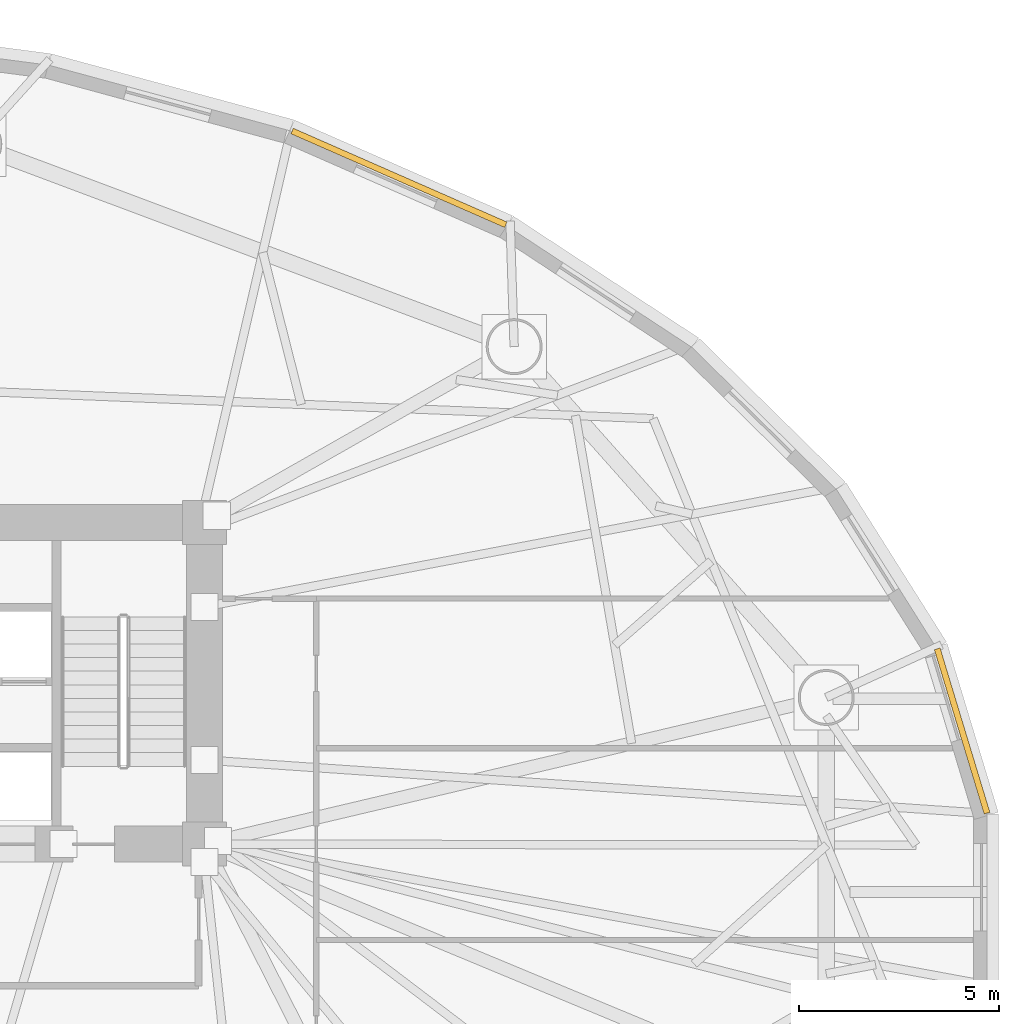
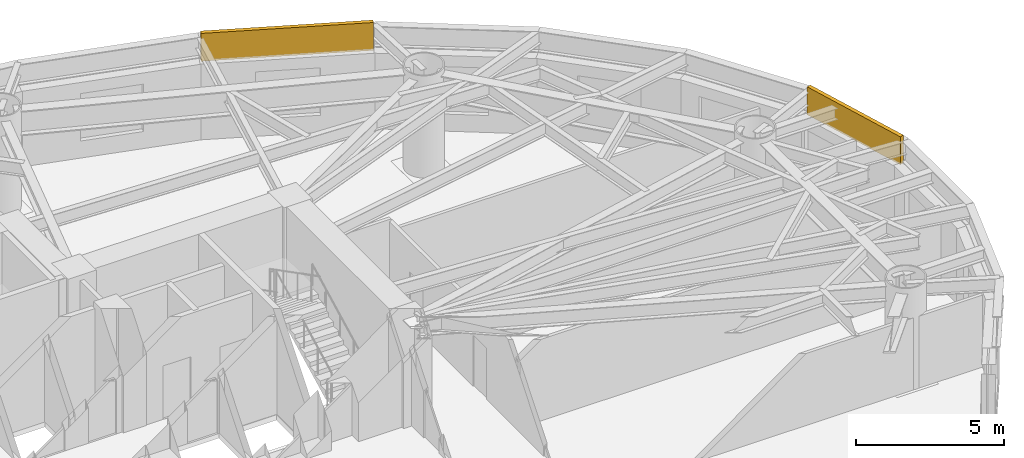
# One storey, part 18 of 18: 2 coverings.
"""IFC4 building model written with IfcOpenShell, lengths in metres."""

from ifc_helpers import new_model, si_unit, direction, frame, origin, origin_2d, place, context, subcontext, project, spatial, rectangle, extrude, material, layer, layer_set, type_object, element, save


model = new_model("IFC4")

# Units and contexts
model_context = context("Model", 3, precision=1e-05, world=origin(), true_north=direction((0.0, 1.0)))
body_context = subcontext(model_context, "Body", "Model", "MODEL_VIEW")
ifc_project = project(units=[si_unit("LENGTHUNIT", "METRE"), si_unit("AREAUNIT", "SQUARE_METRE"), si_unit("VOLUMEUNIT", "CUBIC_METRE"), si_unit("PLANEANGLEUNIT", "RADIAN"), si_unit("MASSUNIT", "GRAM", prefix="KILO")], contexts=[model_context])

# Site, building, storey
site_placement = place(None, origin())
site = spatial("IfcSite", under=ifc_project, at=site_placement, CompositionType="ELEMENT")
building_placement = place(site_placement, origin())
building = spatial("IfcBuilding", under=site, at=building_placement, Name="Keldmark Tower", CompositionType="ELEMENT")
storey_placement = place(building_placement, frame((0.0, 0.0, 6.0)))
storey = spatial("IfcBuildingStorey", under=building, at=storey_placement, Name="L01", CompositionType="ELEMENT", Elevation=6.0)

# Coverings
ifc_material = material(Name="Honed Kasota Buff Dolomitic Limestone", Category="masonry")
ifc_layer = layer(ifc_material, 0.074951171875)
ifc_layer_set = layer_set([ifc_layer], Name="Honed Kasota Buff Dolomitic Limestone")
covering_type = type_object("IfcCoveringType", Name="Kasota Buff Limestone Spandrel Cladding Band", PredefinedType="CLADDING", material=ifc_layer_set)
covering_1_placement = place(storey_placement, frame((32.57373046875, 4.233642578125, 3.032958984375), z_axis=(0.0, 0.0, 1.0), x_axis=(-0.289883809569, 0.957061845938, 0.0)))
element("IfcCovering", 1, at=covering_1_placement, inside=storey, type_object=covering_type, Name="L01 Kasota Limestone Spandrel Band 01", PredefinedType="CLADDING", context=body_context, shape_type="SweptSolid", body=[
    extrude(rectangle(XDim=4.2998046875, YDim=0.14990234375, at=origin_2d()), origin(), (0.0, 0.0, 1.0), 1.14697265625),
])
covering_2_placement = place(storey_placement, frame((18.4697265625, 18.085205078125, 3.032958984375), z_axis=(0.0, 0.0, 1.0), x_axis=(-0.915711693691, 0.401835904367, 0.0)))
element("IfcCovering", 2, at=covering_2_placement, inside=storey, type_object=covering_type, Name="L01 Kasota Limestone Spandrel Band 05", PredefinedType="CLADDING", context=body_context, shape_type="SweptSolid", body=[
    extrude(rectangle(XDim=5.843017578125, YDim=0.14990234375, at=origin_2d()), origin(), (0.0, 0.0, 1.0), 1.14697265625),
])

save(model, "model.ifc")
